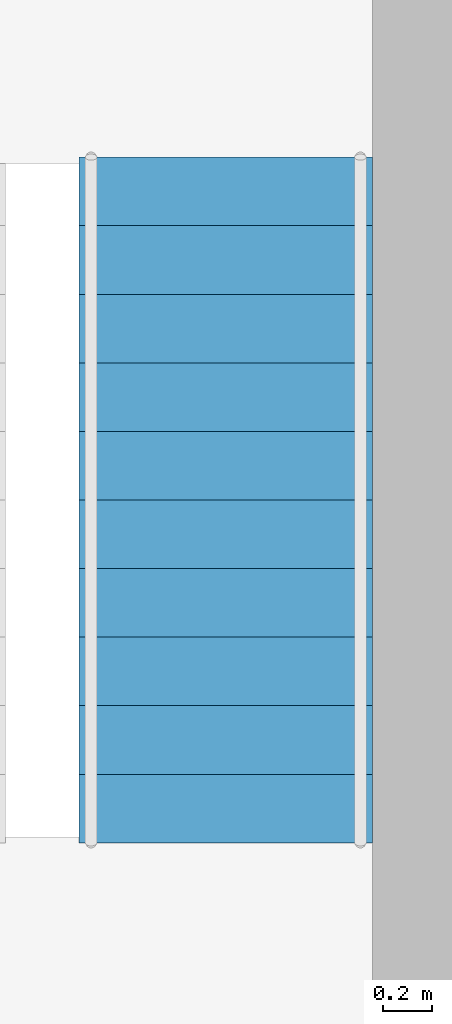
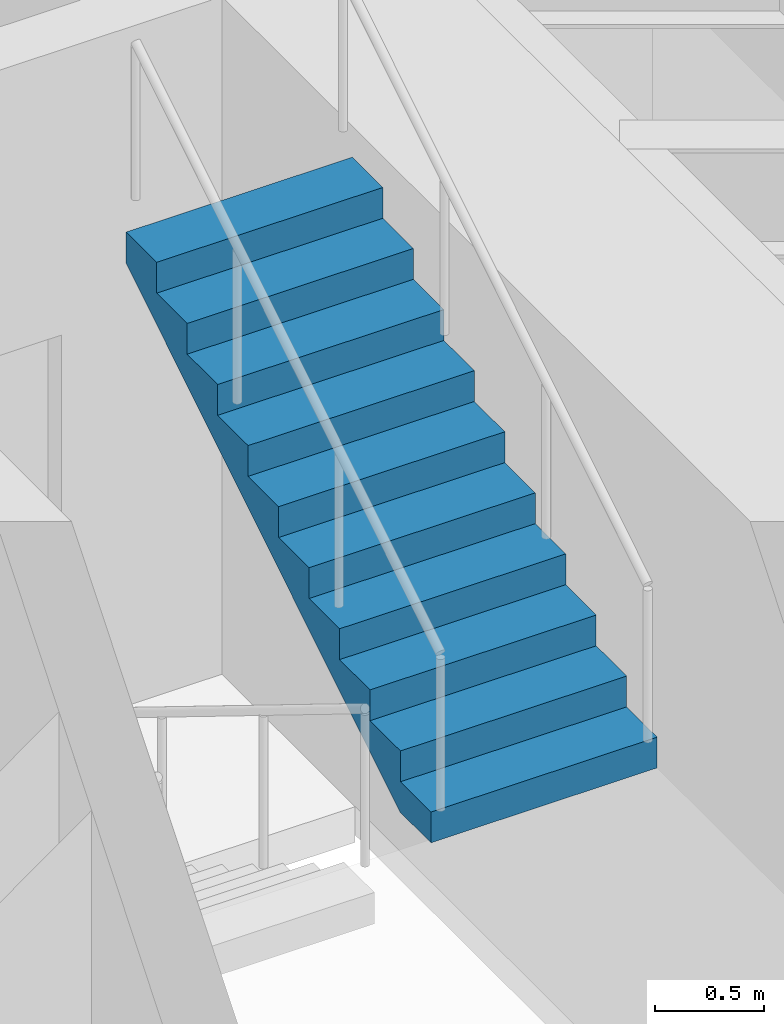
# One storey, part 16 of 17: 1 stair flight, 1 element without a shape of its own.
"""IFC4 building model written with IfcOpenShell, lengths in metres."""

from ifc_helpers import new_model, si_unit, direction, frame, origin, place, context, subcontext, project, spatial, polyline, outline, extrude, material, type_object, element, aggregate, save


model = new_model("IFC4")

# Units and contexts
model_context = context("Model", 3, precision=1e-05, world=origin(), true_north=direction((0.0, 1.0)))
body_context = subcontext(model_context, "Body", "Model", "MODEL_VIEW")
ifc_project = project(units=[si_unit("LENGTHUNIT", "METRE"), si_unit("AREAUNIT", "SQUARE_METRE"), si_unit("VOLUMEUNIT", "CUBIC_METRE"), si_unit("PLANEANGLEUNIT", "RADIAN"), si_unit("MASSUNIT", "GRAM", prefix="KILO")], contexts=[model_context])

# Site, building, storey
site_placement = place(None, origin())
site = spatial("IfcSite", under=ifc_project, at=site_placement, CompositionType="ELEMENT")
building_placement = place(site_placement, origin())
building = spatial("IfcBuilding", under=site, at=building_placement, Name="Sandreach Pilgrim Tower", CompositionType="ELEMENT")
storey_placement = place(building_placement, frame((0.0, 0.0, 217.39990234375)))
storey = spatial("IfcBuildingStorey", under=building, at=storey_placement, Name="L54", CompositionType="ELEMENT", Elevation=217.39990234375)

# Stair, stair flight
ifc_material_1 = material(Name="Concrete 8000 psi", Category="concrete")
stair_type = type_object("IfcStairType", Name="Core exit stair", PredefinedType="HALF_TURN_STAIR", material=ifc_material_1)
stair_placement = place(storey_placement, origin())
stair = element("IfcStair", 1, at=stair_placement, inside=storey, type_object=stair_type, Name="Exit stair ST2 L54", PredefinedType="HALF_TURN_STAIR")
ifc_material_2 = material(Name="Concrete 8000 psi", Category="concrete")
stair_flight_type = type_object("IfcStairFlightType", Name="Core stair flight 1200", PredefinedType="STRAIGHT", material=ifc_material_2)
stair_flight_placement = place(storey_placement, frame((7.14990234375, -3.199951171875, 1.900146484375), z_axis=(0.0, 0.0, 1.0), x_axis=(0.0, 1.0, 0.0)))
stair_flight = element("IfcStairFlight", 2, at=stair_flight_placement, type_object=stair_flight_type, Name="ST2 flight 2", NumberOfRisers=11, NumberOfTreads=10, PredefinedType="STRAIGHT", RiserHeight=0.172727273, TreadLength=0.28, context=body_context, shape_type="SweptSolid", body=[
    extrude(outline(polyline([(0.0, 0.0), (0.0, 0.172607421875), (0.280029296875, 0.172607421875), (0.280029296875, 0.345458984375), (0.56005859375, 0.345458984375), (0.56005859375, 0.51806640625), (0.840087890625, 0.51806640625), (0.840087890625, 0.69091796875), (1.1201171875, 0.69091796875), (1.1201171875, 0.863525390625), (1.39990234375, 0.863525390625), (1.39990234375, 1.036376953125), (1.679931640625, 1.036376953125), (1.679931640625, 1.208984375), (1.9599609375, 1.208984375), (1.9599609375, 1.3818359375), (2.239990234375, 1.3818359375), (2.239990234375, 1.554443359375), (2.52001953125, 1.554443359375), (2.52001953125, 1.727294921875), (2.800048828125, 1.727294921875), (2.800048828125, 1.89990234375), (2.800048828125, 1.551025390625), (0.285400390625, 0.0), (0.0, 0.0)])), frame((0.0, 0.60009765625, 0.0), z_axis=(0.0, -1.0, 0.0), x_axis=(1.0, 0.0, 0.0)), (0.0, 0.0, 1.0), 1.199951171875),
])
aggregate(stair, [stair_flight])

save(model, "model.ifc")
